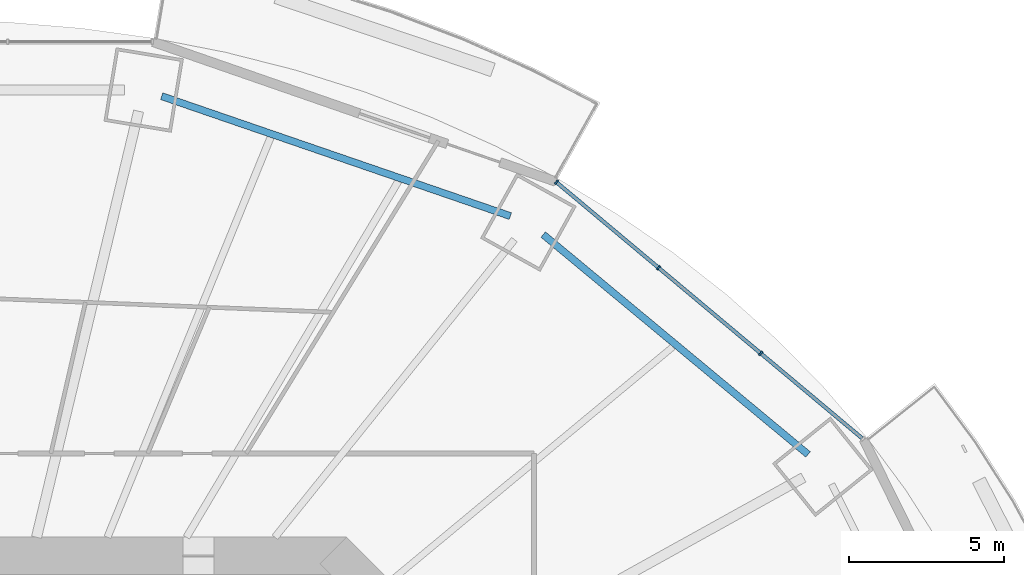
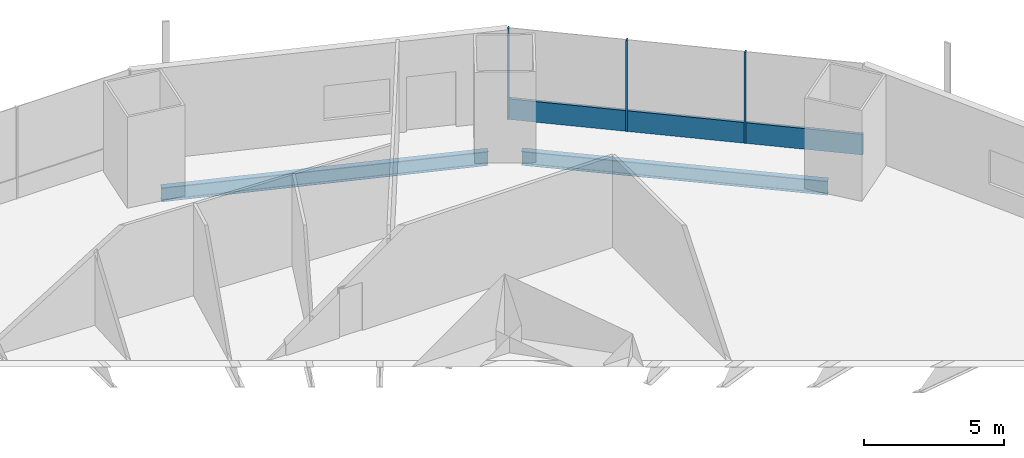
# One storey, part 10 of 23: 4 members, 2 beams, 1 element without a shape of its own.
"""IFC4 building model written with IfcOpenShell, lengths in metres."""

from ifc_helpers import new_model, si_unit, direction, frame, origin, origin_2d, place, context, subcontext, project, spatial, rectangle, i_section, extrude, material, material_profile, profile_set, type_object, element, aggregate, save


model = new_model("IFC4")

# Units and contexts
model_context = context("Model", 3, precision=1e-05, world=origin(), true_north=direction((0.0, 1.0)))
body_context = subcontext(model_context, "Body", "Model", "MODEL_VIEW")
ifc_project = project(units=[si_unit("LENGTHUNIT", "METRE"), si_unit("AREAUNIT", "SQUARE_METRE"), si_unit("VOLUMEUNIT", "CUBIC_METRE"), si_unit("PLANEANGLEUNIT", "RADIAN"), si_unit("MASSUNIT", "GRAM", prefix="KILO")], contexts=[model_context])

# Site, building, storey
site_placement = place(None, origin())
site = spatial("IfcSite", under=ifc_project, at=site_placement, CompositionType="ELEMENT")
building_placement = place(site_placement, origin())
building = spatial("IfcBuilding", under=site, at=building_placement, Name="Marenthal Gate Tower", CompositionType="ELEMENT")
storey_placement = place(building_placement, frame((0.0, 0.0, 62.050048828125)))
storey = spatial("IfcBuildingStorey", under=building, at=storey_placement, Name="L11", CompositionType="ELEMENT", Elevation=62.050048828125)

# Curtain wall, members
ifc_material_1 = material(Name="Aluminium and glass", Category="aluminium")
curtain_wall_type = type_object("IfcCurtainWallType", Name="Curtain wall typical low", PredefinedType="NOTDEFINED", material=ifc_material_1)
curtain_wall_placement = place(storey_placement, origin())
curtain_wall = element("IfcCurtainWall", 1, at=curtain_wall_placement, inside=storey, type_object=curtain_wall_type, Name="Curtain wall L11 bay 2", PredefinedType="NOTDEFINED")
ifc_material_2 = material(Name="Aluminium", Category="aluminium")
ifc_material_profile_1 = material_profile(ifc_material_2, rectangle(XDim=0.159912109375, YDim=0.06005859375, at=origin_2d()), Name="60x160 aluminium mullion")
ifc_profile_set_1 = profile_set([ifc_material_profile_1], Name="Aluminium")
member_type_1 = type_object("IfcMemberType", Name="Mullion 60x160 typical low", PredefinedType="MULLION", material=ifc_profile_set_1)
member_1_placement = place(storey_placement, frame((26.61083984375, 19.529052734375, 0.0), z_axis=(0.0, 0.0, 1.0), x_axis=(-0.642111737517, -0.766611059497, 0.0)))
member_1 = element("IfcMember", 2, at=member_1_placement, type_object=member_type_1, Name="Mullion L11 bay 2.2", PredefinedType="MULLION", context=body_context, shape_type="SweptSolid", body=[
    extrude(rectangle(XDim=0.159912109375, YDim=0.06005859375, at=origin_2d()), origin(), (0.0, 0.0, 1.0), 3.969970703125),
])
member_2_placement = place(storey_placement, frame((23.315673828125, 22.288818359375, 0.0), z_axis=(0.0, 0.0, 1.0), x_axis=(-0.642111737517, -0.766611059497, 0.0)))
member_2 = element("IfcMember", 3, at=member_2_placement, type_object=member_type_1, Name="Mullion L11 bay 2.3", PredefinedType="MULLION", context=body_context, shape_type="SweptSolid", body=[
    extrude(rectangle(XDim=0.159912109375, YDim=0.06005859375, at=origin_2d()), origin(), (0.0, 0.0, 1.0), 3.969970703125),
])
member_3_placement = place(storey_placement, frame((20.020751953125, 25.048828125, 0.0), z_axis=(0.0, 0.0, 1.0), x_axis=(-0.642111737517, -0.766611059497, 0.0)))
member_3 = element("IfcMember", 4, at=member_3_placement, type_object=member_type_1, Name="Mullion L11 bay 2.4", PredefinedType="MULLION", context=body_context, shape_type="SweptSolid", body=[
    extrude(rectangle(XDim=0.159912109375, YDim=0.06005859375, at=origin_2d()), origin(), (0.0, 0.0, 1.0), 3.969970703125),
])
ifc_material_3 = material(Name="Aluminium", Category="aluminium")
ifc_material_profile_2 = material_profile(ifc_material_3, rectangle(XDim=0.1201171875, YDim=0.89990234375, at=origin_2d()), Name="120x900 aluminium transom")
ifc_profile_set_2 = profile_set([ifc_material_profile_2], Name="Aluminium")
member_type_2 = type_object("IfcMemberType", Name="Transom 120x900 typical low", PredefinedType="USERDEFINED", material=ifc_profile_set_2)
member_4_placement = place(storey_placement, frame((29.8828125, 16.788330078125, 0.449951171875), z_axis=(-0.766611330769, 0.642111413648, 0.0), x_axis=(-0.642111413648, -0.766611330769, 0.0)))
member_4 = element("IfcMember", 5, at=member_4_placement, type_object=member_type_2, Name="Transom L11 bay 2", ObjectType="TRANSOM", PredefinedType="USERDEFINED", context=body_context, shape_type="SweptSolid", body=[
    extrude(rectangle(XDim=0.1201171875, YDim=0.89990234375, at=origin_2d()), origin(), (0.0, 0.0, 1.0), 12.83447265625),
])
aggregate(curtain_wall, [member_1, member_2, member_3, member_4])

# Beams
ifc_material_4 = material(Name="Steel S355", Category="steel")
ifc_material_profile_3 = material_profile(ifc_material_4, i_section(OverallWidth=0.22900390625, OverallDepth=0.612060546875, WebThickness=0.011962890625, FlangeThickness=0.01953125, FilletRadius=0.0126953125, at=origin_2d()), Name="W610X125")
ifc_profile_set_3 = profile_set([ifc_material_profile_3], Name="Steel S355")
beam_type = type_object("IfcBeamType", Name="W610X125 beam", PredefinedType="BEAM", material=ifc_profile_set_3)
beam_1_placement = place(storey_placement, frame((28.135986328125, 16.26953125, -0.486083984375), z_axis=(-0.769424366687, 0.63873793057, 0.0), x_axis=(-0.63873793057, -0.769424366687, 0.0)))
element("IfcBeam", 6, at=beam_1_placement, inside=storey, type_object=beam_type, Name="BM-L11-42", PredefinedType="BEAM", context=body_context, shape_type="SweptSolid", body=[
    extrude(i_section(OverallWidth=0.22900390625, OverallDepth=0.612060546875, WebThickness=0.011962890625, FlangeThickness=0.01953125, FilletRadius=0.0126953125, at=origin_2d()), origin(), (0.0, 0.0, 1.0), 11.0986328125),
])
beam_2_placement = place(storey_placement, frame((18.536376953125, 23.954833984375, -0.486083984375), z_axis=(-0.945656601656, 0.325167021304, 0.0), x_axis=(-0.325167021304, -0.945656601656, 0.0)))
element("IfcBeam", 7, at=beam_2_placement, inside=storey, type_object=beam_type, Name="BM-L11-43", PredefinedType="BEAM", context=body_context, shape_type="SweptSolid", body=[
    extrude(i_section(OverallWidth=0.22900390625, OverallDepth=0.612060546875, WebThickness=0.011962890625, FlangeThickness=0.01953125, FilletRadius=0.0126953125, at=origin_2d()), origin(), (0.0, 0.0, 1.0), 11.88623046875),
])

save(model, "model.ifc")
